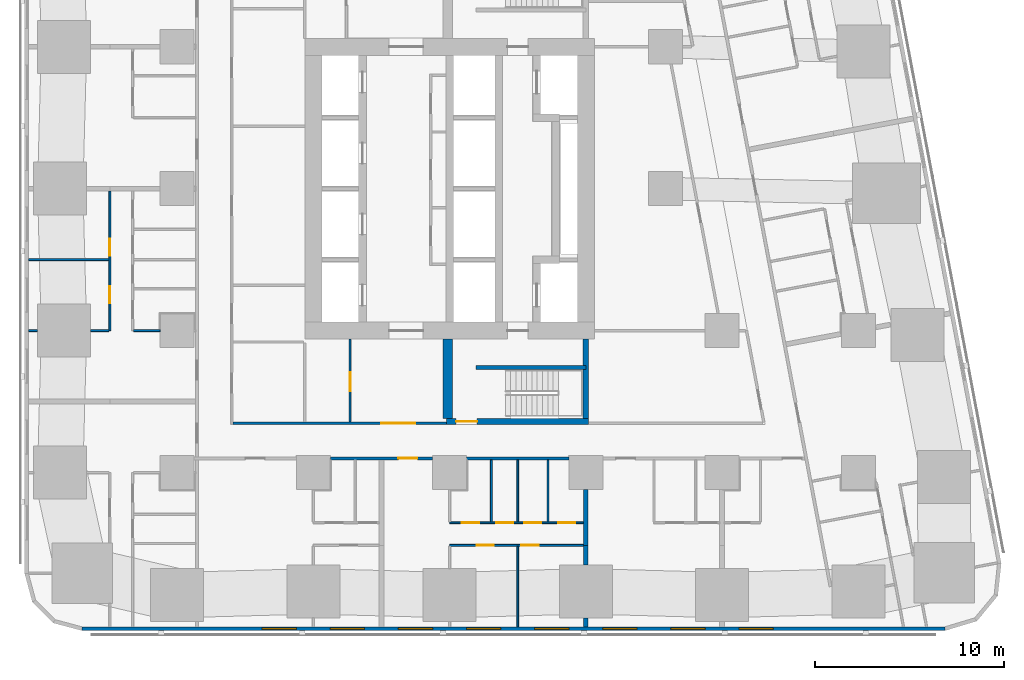
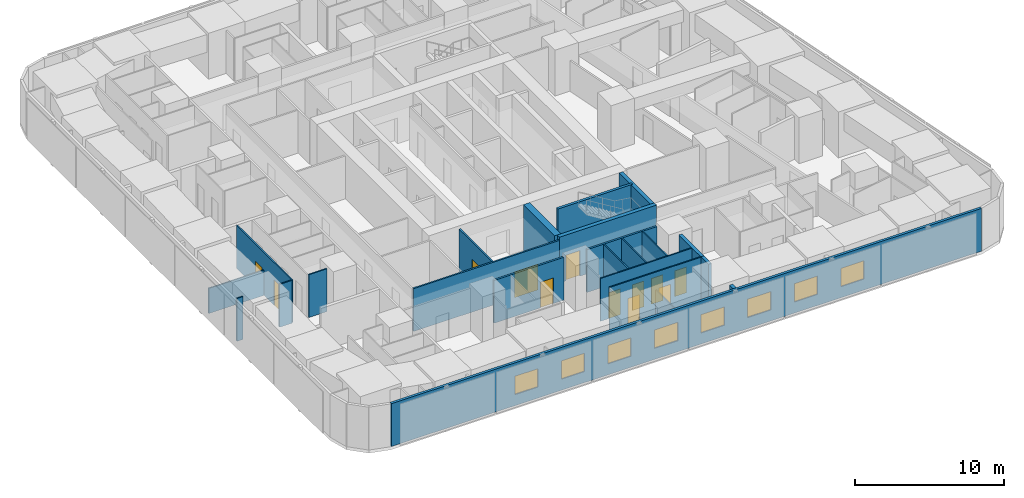
# One storey, part 3 of 16: 23 walls, 12 doors, 8 windows, 20 openings.
"""IFC4 building model written with IfcOpenShell, lengths in metres."""

from ifc_helpers import new_model, si_unit, direction, frame, frame_2d, origin, place, context, subcontext, project, spatial, rectangle, extrude, material, layer, layer_set, type_object, element, fill, save


model = new_model("IFC4")

# Units and contexts
model_context = context("Model", 3, precision=1e-05, world=origin(), true_north=direction((0.0, 1.0)))
body_context = subcontext(model_context, "Body", "Model", "MODEL_VIEW")
ifc_project = project(units=[si_unit("LENGTHUNIT", "METRE"), si_unit("AREAUNIT", "SQUARE_METRE"), si_unit("VOLUMEUNIT", "CUBIC_METRE"), si_unit("PLANEANGLEUNIT", "RADIAN"), si_unit("MASSUNIT", "GRAM", prefix="KILO")], contexts=[model_context])

# Site, building, storey
site_placement = place(None, origin())
site = spatial("IfcSite", under=ifc_project, at=site_placement, CompositionType="ELEMENT")
building_placement = place(site_placement, origin())
building = spatial("IfcBuilding", under=site, at=building_placement, Name="Sheger Commons Tower", CompositionType="ELEMENT")
storey_placement = place(building_placement, frame((0.0, 0.0, 53.75)))
storey = spatial("IfcBuildingStorey", under=building, at=storey_placement, Name="L13", CompositionType="ELEMENT", Elevation=53.75)

# Wall
ifc_material_1 = material(Name="Hollow concrete block masonry, skimmed both sides", Category="masonry")
ifc_layer_1 = layer(ifc_material_1, 0.14990234375)
ifc_layer_set_1 = layer_set([ifc_layer_1], Name="CORRIDOR WALL 150")
wall_type_1 = type_object("IfcWallType", Name="CORRIDOR WALL 150", PredefinedType="SOLIDWALL", material=ifc_layer_set_1)
wall_1_placement = place(storey_placement, frame((27.89892578125, 8.25, 0.0), z_axis=(0.0, 0.0, 1.0), x_axis=(-1.0, 0.0, 0.0)))
element("IfcWall", 1, at=wall_1_placement, inside=storey, type_object=wall_type_1, Name="Corridor wall L13", PredefinedType="SOLIDWALL", context=body_context, shape_type="SweptSolid", body=[
    extrude(rectangle(XDim=5.39794921875, YDim=0.14990234375, at=frame_2d((2.698974609375, 0.0))), origin(), (0.0, 0.0, 1.0), 3.5),
])

# Wall, opening, door
wall_2_placement = place(storey_placement, frame((20.698974609375, 8.25, 0.0), z_axis=(0.0, 0.0, 1.0), x_axis=(-1.0, 0.0, 0.0)))
wall_2 = element("IfcWall", 2, at=wall_2_placement, inside=storey, type_object=wall_type_1, Name="Corridor wall L13", PredefinedType="SOLIDWALL", context=body_context, shape_type="SweptSolid", body=[
    extrude(rectangle(XDim=5.39794921875, YDim=0.14990234375, at=frame_2d((2.698974609375, 0.0))), origin(), (0.0, 0.0, 1.0), 3.5),
])
opening_1_placement = place(wall_2_placement, frame((0.799072265625, 0.0, 0.0)))
opening_1 = element("IfcOpeningElement", 3, at=opening_1_placement, cuts=wall_2, Name="Opening D1", PredefinedType="OPENING", context=body_context, shape_type="SweptSolid", body=[
    extrude(rectangle(XDim=1.0, YDim=2.10009765625, at=frame_2d((0.5, 1.050048828125))), frame((0.0, 0.0849609375, 0.0), z_axis=(0.0, -1.0, 0.0), x_axis=(1.0, 0.0, 0.0)), (0.0, 0.0, 1.0), 0.169921875),
])
ifc_material_2 = material(Name="Steel door set, fire rated", Category="steel")
door_type_1 = type_object("IfcDoorType", Name="FLAT ENTRANCE DOOR 1000x2100", OperationType="NOTDEFINED", PredefinedType="DOOR", material=ifc_material_2)
door_1_placement = place(opening_1_placement, origin())
door_1 = element("IfcDoor", 4, at=door_1_placement, inside=storey, type_object=door_type_1, Name="Flat entrance door", OperationType="SINGLE_SWING_LEFT", OverallHeight=2.10009765625, OverallWidth=1.0, PredefinedType="DOOR", context=body_context, shape_type="SweptSolid", body=[
    extrude(rectangle(XDim=1.0, YDim=2.10009765625, at=frame_2d((0.5, 1.050048828125))), frame((0.0, 0.02490234375, 0.0), z_axis=(0.0, -1.0, 0.0), x_axis=(1.0, 0.0, 0.0)), (0.0, 0.0, 1.0), 0.050048828125),
])
fill(opening_1, door_1)

# Walls
ifc_material_3 = material(Name="Dense concrete block masonry, plastered both sides (separating wall between flats)", Category="masonry")
ifc_layer_2 = layer(ifc_material_3, 0.25)
ifc_layer_set_2 = layer_set([ifc_layer_2], Name="DEMISING WALL 250")
wall_type_2 = type_object("IfcWallType", Name="DEMISING WALL 250", PredefinedType="SOLIDWALL", material=ifc_layer_set_2)
wall_3_placement = place(storey_placement, frame((28.800048828125, -0.64990234375, 0.0), z_axis=(0.0, 0.0, 1.0), x_axis=(0.0, 1.0, 0.0)))
element("IfcWall", 5, at=wall_3_placement, inside=storey, type_object=wall_type_2, Name="Demising wall L13", PredefinedType="SOLIDWALL", context=body_context, shape_type="SweptSolid", body=[
    extrude(rectangle(XDim=0.473876953125, YDim=0.25, at=frame_2d((0.23681640625, 0.0))), origin(), (0.0, 0.0, 1.0), 3.5),
])
wall_4_placement = place(storey_placement, frame((28.800048828125, 2.6259765625, 0.0), z_axis=(0.0, 0.0, 1.0), x_axis=(0.0, 1.0, 0.0)))
element("IfcWall", 6, at=wall_4_placement, inside=storey, type_object=wall_type_2, Name="Demising wall L13", PredefinedType="SOLIDWALL", context=body_context, shape_type="SweptSolid", body=[
    extrude(rectangle(XDim=1.02392578125, YDim=0.25, at=frame_2d((0.511962890625, 0.0))), origin(), (0.0, 0.0, 1.0), 3.5),
])
wall_5_placement = place(storey_placement, frame((28.800048828125, 3.64990234375, 0.0), z_axis=(0.0, 0.0, 1.0), x_axis=(0.0, 1.0, 0.0)))
element("IfcWall", 7, at=wall_5_placement, inside=storey, type_object=wall_type_2, Name="Demising wall L13", PredefinedType="SOLIDWALL", context=body_context, shape_type="SweptSolid", body=[
    extrude(rectangle(XDim=2.94921875, YDim=0.25, at=frame_2d((1.474609375, 0.0))), origin(), (0.0, 0.0, 1.0), 3.5),
])

# Wall, openings, windows
ifc_material_4 = material(Name="Rendered concrete block masonry, dark grey", Category="masonry")
ifc_layer_3 = layer(ifc_material_4, 0.199951171875)
ifc_layer_set_3 = layer_set([ifc_layer_3], Name="FACADE WALL 200")
wall_type_3 = type_object("IfcWallType", Name="FACADE WALL 200", PredefinedType="SOLIDWALL", material=ifc_layer_set_3)
wall_6_placement = place(storey_placement, frame((2.1630859375, -0.75, 0.0), z_axis=(0.0, 0.0, 1.0), x_axis=(1.0, 0.0, 0.0)))
wall_6 = element("IfcWall", 8, at=wall_6_placement, inside=storey, type_object=wall_type_3, Name="Facade wall L13", PredefinedType="SOLIDWALL", context=body_context, shape_type="SweptSolid", body=[
    extrude(rectangle(XDim=45.6279296875, YDim=0.199951171875, at=frame_2d((22.81396484375, 0.0))), origin(), (0.0, 0.0, 1.0), 3.5),
])
opening_2_placement = place(wall_6_placement, frame((9.537109375, 0.0, 0.89990234375)))
opening_2 = element("IfcOpeningElement", 9, at=opening_2_placement, cuts=wall_6, Name="Opening W2", PredefinedType="OPENING", context=body_context, shape_type="SweptSolid", body=[
    extrude(rectangle(XDim=1.800048828125, YDim=1.5, at=frame_2d((0.89990234375, 0.75))), frame((0.0, 0.10986328125, 0.0), z_axis=(0.0, -1.0, 0.0), x_axis=(1.0, 0.0, 0.0)), (0.0, 0.0, 1.0), 0.219970703125),
])
opening_3_placement = place(wall_6_placement, frame((13.136962890625, 0.0, 0.89990234375)))
opening_3 = element("IfcOpeningElement", 10, at=opening_3_placement, cuts=wall_6, Name="Opening W2", PredefinedType="OPENING", context=body_context, shape_type="SweptSolid", body=[
    extrude(rectangle(XDim=1.800048828125, YDim=1.5, at=frame_2d((0.89990234375, 0.75))), frame((0.0, 0.10986328125, 0.0), z_axis=(0.0, -1.0, 0.0), x_axis=(1.0, 0.0, 0.0)), (0.0, 0.0, 1.0), 0.219970703125),
])
opening_4_placement = place(wall_6_placement, frame((16.737060546875, 0.0, 0.89990234375)))
opening_4 = element("IfcOpeningElement", 11, at=opening_4_placement, cuts=wall_6, Name="Opening W2", PredefinedType="OPENING", context=body_context, shape_type="SweptSolid", body=[
    extrude(rectangle(XDim=1.800048828125, YDim=1.5, at=frame_2d((0.89990234375, 0.75))), frame((0.0, 0.10986328125, 0.0), z_axis=(0.0, -1.0, 0.0), x_axis=(1.0, 0.0, 0.0)), (0.0, 0.0, 1.0), 0.219970703125),
])
opening_5_placement = place(wall_6_placement, frame((20.3369140625, 0.0, 0.89990234375)))
opening_5 = element("IfcOpeningElement", 12, at=opening_5_placement, cuts=wall_6, Name="Opening W2", PredefinedType="OPENING", context=body_context, shape_type="SweptSolid", body=[
    extrude(rectangle(XDim=1.800048828125, YDim=1.5, at=frame_2d((0.89990234375, 0.75))), frame((0.0, 0.10986328125, 0.0), z_axis=(0.0, -1.0, 0.0), x_axis=(1.0, 0.0, 0.0)), (0.0, 0.0, 1.0), 0.219970703125),
])
opening_6_placement = place(wall_6_placement, frame((23.93701171875, 0.0, 0.89990234375)))
opening_6 = element("IfcOpeningElement", 13, at=opening_6_placement, cuts=wall_6, Name="Opening W2", PredefinedType="OPENING", context=body_context, shape_type="SweptSolid", body=[
    extrude(rectangle(XDim=1.800048828125, YDim=1.5, at=frame_2d((0.89990234375, 0.75))), frame((0.0, 0.10986328125, 0.0), z_axis=(0.0, -1.0, 0.0), x_axis=(1.0, 0.0, 0.0)), (0.0, 0.0, 1.0), 0.219970703125),
])
opening_7_placement = place(wall_6_placement, frame((27.537109375, 0.0, 0.89990234375)))
opening_7 = element("IfcOpeningElement", 14, at=opening_7_placement, cuts=wall_6, Name="Opening W2", PredefinedType="OPENING", context=body_context, shape_type="SweptSolid", body=[
    extrude(rectangle(XDim=1.800048828125, YDim=1.5, at=frame_2d((0.89990234375, 0.75))), frame((0.0, 0.10986328125, 0.0), z_axis=(0.0, -1.0, 0.0), x_axis=(1.0, 0.0, 0.0)), (0.0, 0.0, 1.0), 0.219970703125),
])
opening_8_placement = place(wall_6_placement, frame((31.136962890625, 0.0, 0.89990234375)))
opening_8 = element("IfcOpeningElement", 15, at=opening_8_placement, cuts=wall_6, Name="Opening W2", PredefinedType="OPENING", context=body_context, shape_type="SweptSolid", body=[
    extrude(rectangle(XDim=1.800048828125, YDim=1.5, at=frame_2d((0.89990234375, 0.75))), frame((0.0, 0.10986328125, 0.0), z_axis=(0.0, -1.0, 0.0), x_axis=(1.0, 0.0, 0.0)), (0.0, 0.0, 1.0), 0.219970703125),
])
opening_9_placement = place(wall_6_placement, frame((34.737060546875, 0.0, 0.89990234375)))
opening_9 = element("IfcOpeningElement", 16, at=opening_9_placement, cuts=wall_6, Name="Opening W2", PredefinedType="OPENING", context=body_context, shape_type="SweptSolid", body=[
    extrude(rectangle(XDim=1.800048828125, YDim=1.5, at=frame_2d((0.89990234375, 0.75))), frame((0.0, 0.10986328125, 0.0), z_axis=(0.0, -1.0, 0.0), x_axis=(1.0, 0.0, 0.0)), (0.0, 0.0, 1.0), 0.219970703125),
])
ifc_material_5 = material(Name="Black aluminium frame, dark tinted double glazing", Category="aluminium")
window_type = type_object("IfcWindowType", Name="WINDOW W2 1800x1500", PartitioningType="SINGLE_PANEL", PredefinedType="WINDOW", material=ifc_material_5)
window_1_placement = place(opening_2_placement, origin())
window_1 = element("IfcWindow", 17, at=window_1_placement, inside=storey, type_object=window_type, Name="Window W2 1800X1500", OverallHeight=1.5, OverallWidth=1.800048828125, PartitioningType="SINGLE_PANEL", PredefinedType="WINDOW", context=body_context, shape_type="SweptSolid", body=[
    extrude(rectangle(XDim=1.800048828125, YDim=1.5, at=frame_2d((0.89990234375, 0.75))), frame((0.0, 0.030029296875, 0.0), z_axis=(0.0, -1.0, 0.0), x_axis=(1.0, 0.0, 0.0)), (0.0, 0.0, 1.0), 0.06005859375),
])
fill(opening_2, window_1)
window_2_placement = place(opening_3_placement, origin())
window_2 = element("IfcWindow", 18, at=window_2_placement, inside=storey, type_object=window_type, Name="Window W2 1800X1500", OverallHeight=1.5, OverallWidth=1.800048828125, PartitioningType="SINGLE_PANEL", PredefinedType="WINDOW", context=body_context, shape_type="SweptSolid", body=[
    extrude(rectangle(XDim=1.800048828125, YDim=1.5, at=frame_2d((0.89990234375, 0.75))), frame((0.0, 0.030029296875, 0.0), z_axis=(0.0, -1.0, 0.0), x_axis=(1.0, 0.0, 0.0)), (0.0, 0.0, 1.0), 0.06005859375),
])
fill(opening_3, window_2)
window_3_placement = place(opening_4_placement, origin())
window_3 = element("IfcWindow", 19, at=window_3_placement, inside=storey, type_object=window_type, Name="Window W2 1800X1500", OverallHeight=1.5, OverallWidth=1.800048828125, PartitioningType="SINGLE_PANEL", PredefinedType="WINDOW", context=body_context, shape_type="SweptSolid", body=[
    extrude(rectangle(XDim=1.800048828125, YDim=1.5, at=frame_2d((0.89990234375, 0.75))), frame((0.0, 0.030029296875, 0.0), z_axis=(0.0, -1.0, 0.0), x_axis=(1.0, 0.0, 0.0)), (0.0, 0.0, 1.0), 0.06005859375),
])
fill(opening_4, window_3)
window_4_placement = place(opening_5_placement, origin())
window_4 = element("IfcWindow", 20, at=window_4_placement, inside=storey, type_object=window_type, Name="Window W2 1800X1500", OverallHeight=1.5, OverallWidth=1.800048828125, PartitioningType="SINGLE_PANEL", PredefinedType="WINDOW", context=body_context, shape_type="SweptSolid", body=[
    extrude(rectangle(XDim=1.800048828125, YDim=1.5, at=frame_2d((0.89990234375, 0.75))), frame((0.0, 0.030029296875, 0.0), z_axis=(0.0, -1.0, 0.0), x_axis=(1.0, 0.0, 0.0)), (0.0, 0.0, 1.0), 0.06005859375),
])
fill(opening_5, window_4)
window_5_placement = place(opening_6_placement, origin())
window_5 = element("IfcWindow", 21, at=window_5_placement, inside=storey, type_object=window_type, Name="Window W2 1800X1500", OverallHeight=1.5, OverallWidth=1.800048828125, PartitioningType="SINGLE_PANEL", PredefinedType="WINDOW", context=body_context, shape_type="SweptSolid", body=[
    extrude(rectangle(XDim=1.800048828125, YDim=1.5, at=frame_2d((0.89990234375, 0.75))), frame((0.0, 0.030029296875, 0.0), z_axis=(0.0, -1.0, 0.0), x_axis=(1.0, 0.0, 0.0)), (0.0, 0.0, 1.0), 0.06005859375),
])
fill(opening_6, window_5)
window_6_placement = place(opening_7_placement, origin())
window_6 = element("IfcWindow", 22, at=window_6_placement, inside=storey, type_object=window_type, Name="Window W2 1800X1500", OverallHeight=1.5, OverallWidth=1.800048828125, PartitioningType="SINGLE_PANEL", PredefinedType="WINDOW", context=body_context, shape_type="SweptSolid", body=[
    extrude(rectangle(XDim=1.800048828125, YDim=1.5, at=frame_2d((0.89990234375, 0.75))), frame((0.0, 0.030029296875, 0.0), z_axis=(0.0, -1.0, 0.0), x_axis=(1.0, 0.0, 0.0)), (0.0, 0.0, 1.0), 0.06005859375),
])
fill(opening_7, window_6)
window_7_placement = place(opening_8_placement, origin())
window_7 = element("IfcWindow", 23, at=window_7_placement, inside=storey, type_object=window_type, Name="Window W2 1800X1500", OverallHeight=1.5, OverallWidth=1.800048828125, PartitioningType="SINGLE_PANEL", PredefinedType="WINDOW", context=body_context, shape_type="SweptSolid", body=[
    extrude(rectangle(XDim=1.800048828125, YDim=1.5, at=frame_2d((0.89990234375, 0.75))), frame((0.0, 0.030029296875, 0.0), z_axis=(0.0, -1.0, 0.0), x_axis=(1.0, 0.0, 0.0)), (0.0, 0.0, 1.0), 0.06005859375),
])
fill(opening_8, window_7)
window_8_placement = place(opening_9_placement, origin())
window_8 = element("IfcWindow", 24, at=window_8_placement, inside=storey, type_object=window_type, Name="Window W2 1800X1500", OverallHeight=1.5, OverallWidth=1.800048828125, PartitioningType="SINGLE_PANEL", PredefinedType="WINDOW", context=body_context, shape_type="SweptSolid", body=[
    extrude(rectangle(XDim=1.800048828125, YDim=1.5, at=frame_2d((0.89990234375, 0.75))), frame((0.0, 0.030029296875, 0.0), z_axis=(0.0, -1.0, 0.0), x_axis=(1.0, 0.0, 0.0)), (0.0, 0.0, 1.0), 0.06005859375),
])
fill(opening_9, window_8)

# Wall, openings, doors
ifc_material_6 = material(Name="Gypsum board on steel studs", Category="steel")
ifc_layer_4 = layer(ifc_material_6, 0.10009765625)
ifc_layer_set_4 = layer_set([ifc_layer_4], Name="PARTITION 100")
wall_type_4 = type_object("IfcWallType", Name="PARTITION 100", PredefinedType="PARTITIONING", material=ifc_layer_set_4)
wall_7_placement = place(storey_placement, frame((3.64990234375, 15.0, 0.0), z_axis=(0.0, 0.0, 1.0), x_axis=(0.0, 1.0, 0.0)))
wall_7 = element("IfcWall", 25, at=wall_7_placement, inside=storey, type_object=wall_type_4, Name="Partition L13", PredefinedType="PARTITIONING", context=body_context, shape_type="SweptSolid", body=[
    extrude(rectangle(XDim=7.375, YDim=0.10009765625, at=frame_2d((3.6875, 0.0))), origin(), (0.0, 0.0, 1.0), 3.5),
])
opening_10_placement = place(wall_7_placement, frame((1.449951171875, 0.0, 0.0)))
opening_10 = element("IfcOpeningElement", 26, at=opening_10_placement, cuts=wall_7, Name="Opening D2", PredefinedType="OPENING", context=body_context, shape_type="SweptSolid", body=[
    extrude(rectangle(XDim=0.89990234375, YDim=2.10009765625, at=frame_2d((0.449951171875, 1.050048828125))), frame((0.0, 0.06005859375, 0.0), z_axis=(0.0, -1.0, 0.0), x_axis=(1.0, 0.0, 0.0)), (0.0, 0.0, 1.0), 0.1201171875),
])
opening_11_placement = place(wall_7_placement, frame((3.949951171875, 0.0, 0.0)))
opening_11 = element("IfcOpeningElement", 27, at=opening_11_placement, cuts=wall_7, Name="Opening D2", PredefinedType="OPENING", context=body_context, shape_type="SweptSolid", body=[
    extrude(rectangle(XDim=0.89990234375, YDim=2.10009765625, at=frame_2d((0.449951171875, 1.050048828125))), frame((0.0, 0.06005859375, 0.0), z_axis=(0.0, -1.0, 0.0), x_axis=(1.0, 0.0, 0.0)), (0.0, 0.0, 1.0), 0.1201171875),
])
ifc_material_7 = material(Name="Timber door set", Category="wood")
door_type_2 = type_object("IfcDoorType", Name="INTERNAL DOOR 900x2100", OperationType="NOTDEFINED", PredefinedType="DOOR", material=ifc_material_7)
door_2_placement = place(opening_10_placement, origin())
door_2 = element("IfcDoor", 28, at=door_2_placement, inside=storey, type_object=door_type_2, Name="Main bedroom door", OperationType="SINGLE_SWING_LEFT", OverallHeight=2.10009765625, OverallWidth=0.89990234375, PredefinedType="DOOR", context=body_context, shape_type="SweptSolid", body=[
    extrude(rectangle(XDim=0.89990234375, YDim=2.10009765625, at=frame_2d((0.449951171875, 1.050048828125))), frame((0.0, 0.02490234375, 0.0), z_axis=(0.0, -1.0, 0.0), x_axis=(1.0, 0.0, 0.0)), (0.0, 0.0, 1.0), 0.050048828125),
])
fill(opening_10, door_2)
door_3_placement = place(opening_11_placement, origin())
door_3 = element("IfcDoor", 29, at=door_3_placement, inside=storey, type_object=door_type_2, Name="Bedroom 2 door", OperationType="SINGLE_SWING_LEFT", OverallHeight=2.10009765625, OverallWidth=0.89990234375, PredefinedType="DOOR", context=body_context, shape_type="SweptSolid", body=[
    extrude(rectangle(XDim=0.89990234375, YDim=2.10009765625, at=frame_2d((0.449951171875, 1.050048828125))), frame((0.0, 0.02490234375, 0.0), z_axis=(0.0, -1.0, 0.0), x_axis=(1.0, 0.0, 0.0)), (0.0, 0.0, 1.0), 0.050048828125),
])
fill(opening_11, door_3)

# Walls
wall_8_placement = place(storey_placement, frame((-0.64990234375, 15.0, 0.0), z_axis=(0.0, 0.0, 1.0), x_axis=(1.0, 0.0, 0.0)))
element("IfcWall", 30, at=wall_8_placement, inside=storey, type_object=wall_type_4, Name="Partition L13", PredefinedType="PARTITIONING", context=body_context, shape_type="SweptSolid", body=[
    extrude(rectangle(XDim=0.473876953125, YDim=0.10009765625, at=frame_2d((0.23681640625, 0.0))), origin(), (0.0, 0.0, 1.0), 3.5),
])
wall_9_placement = place(storey_placement, frame((2.6259765625, 15.0, 0.0), z_axis=(0.0, 0.0, 1.0), x_axis=(1.0, 0.0, 0.0)))
element("IfcWall", 31, at=wall_9_placement, inside=storey, type_object=wall_type_4, Name="Partition L13", PredefinedType="PARTITIONING", context=body_context, shape_type="SweptSolid", body=[
    extrude(rectangle(XDim=0.97412109375, YDim=0.10009765625, at=frame_2d((0.487060546875, 0.0))), origin(), (0.0, 0.0, 1.0), 3.5),
])
wall_10_placement = place(storey_placement, frame((-0.64990234375, 18.75, 0.0), z_axis=(0.0, 0.0, 1.0), x_axis=(1.0, 0.0, 0.0)))
element("IfcWall", 32, at=wall_10_placement, inside=storey, type_object=wall_type_4, Name="Partition L13", PredefinedType="PARTITIONING", context=body_context, shape_type="SweptSolid", body=[
    extrude(rectangle(XDim=4.25, YDim=0.10009765625, at=frame_2d((2.125, 0.0))), origin(), (0.0, 0.0, 1.0), 2.050048828125),
])
wall_11_placement = place(storey_placement, frame((4.89990234375, 15.0, 0.0), z_axis=(0.0, 0.0, 1.0), x_axis=(1.0, 0.0, 0.0)))
element("IfcWall", 33, at=wall_11_placement, inside=storey, type_object=wall_type_4, Name="Partition L13", PredefinedType="PARTITIONING", context=body_context, shape_type="SweptSolid", body=[
    extrude(rectangle(XDim=1.399169921875, YDim=0.10009765625, at=frame_2d((0.69970703125, 0.0))), origin(), (0.0, 0.0, 1.0), 3.5),
])

# Wall, openings, doors
wall_12_placement = place(storey_placement, frame((28.675048828125, 3.64990234375, 0.0), z_axis=(0.0, 0.0, 1.0), x_axis=(-1.0, 0.0, 0.0)))
wall_12 = element("IfcWall", 34, at=wall_12_placement, inside=storey, type_object=wall_type_4, Name="Partition L13", PredefinedType="PARTITIONING", context=body_context, shape_type="SweptSolid", body=[
    extrude(rectangle(XDim=7.074951171875, YDim=0.10009765625, at=frame_2d((3.53759765625, 0.0))), origin(), (0.0, 0.0, 1.0), 3.5),
])
opening_12_placement = place(wall_12_placement, frame((4.75, 0.0, 0.0)))
opening_12 = element("IfcOpeningElement", 35, at=opening_12_placement, cuts=wall_12, Name="Opening D2", PredefinedType="OPENING", context=body_context, shape_type="SweptSolid", body=[
    extrude(rectangle(XDim=0.89990234375, YDim=2.10009765625, at=frame_2d((0.449951171875, 1.050048828125))), frame((0.0, 0.06005859375, 0.0), z_axis=(0.0, -1.0, 0.0), x_axis=(1.0, 0.0, 0.0)), (0.0, 0.0, 1.0), 0.1201171875),
])
opening_13_placement = place(wall_12_placement, frame((2.375, 0.0, 0.0)))
opening_13 = element("IfcOpeningElement", 36, at=opening_13_placement, cuts=wall_12, Name="Opening D2", PredefinedType="OPENING", context=body_context, shape_type="SweptSolid", body=[
    extrude(rectangle(XDim=0.89990234375, YDim=2.10009765625, at=frame_2d((0.449951171875, 1.050048828125))), frame((0.0, 0.06005859375, 0.0), z_axis=(0.0, -1.0, 0.0), x_axis=(1.0, 0.0, 0.0)), (0.0, 0.0, 1.0), 0.1201171875),
])
door_4_placement = place(opening_12_placement, origin())
door_4 = element("IfcDoor", 37, at=door_4_placement, inside=storey, type_object=door_type_2, Name="Main bedroom door", OperationType="SINGLE_SWING_RIGHT", OverallHeight=2.10009765625, OverallWidth=0.89990234375, PredefinedType="DOOR", context=body_context, shape_type="SweptSolid", body=[
    extrude(rectangle(XDim=0.89990234375, YDim=2.10009765625, at=frame_2d((0.449951171875, 1.050048828125))), frame((0.0, 0.02490234375, 0.0), z_axis=(0.0, -1.0, 0.0), x_axis=(1.0, 0.0, 0.0)), (0.0, 0.0, 1.0), 0.050048828125),
])
fill(opening_12, door_4)
door_5_placement = place(opening_13_placement, origin())
door_5 = element("IfcDoor", 38, at=door_5_placement, inside=storey, type_object=door_type_2, Name="Bedroom 2 door", OperationType="SINGLE_SWING_RIGHT", OverallHeight=2.10009765625, OverallWidth=0.89990234375, PredefinedType="DOOR", context=body_context, shape_type="SweptSolid", body=[
    extrude(rectangle(XDim=0.89990234375, YDim=2.10009765625, at=frame_2d((0.449951171875, 1.050048828125))), frame((0.0, 0.02490234375, 0.0), z_axis=(0.0, -1.0, 0.0), x_axis=(1.0, 0.0, 0.0)), (0.0, 0.0, 1.0), 0.050048828125),
])
fill(opening_13, door_5)

wall_13_placement = place(storey_placement, frame((28.675048828125, 4.85009765625, 0.0), z_axis=(0.0, 0.0, 1.0), x_axis=(-1.0, 0.0, 0.0)))
wall_13 = element("IfcWall", 39, at=wall_13_placement, inside=storey, type_object=wall_type_4, Name="Partition L13", PredefinedType="PARTITIONING", context=body_context, shape_type="SweptSolid", body=[
    extrude(rectangle(XDim=7.074951171875, YDim=0.10009765625, at=frame_2d((3.53759765625, 0.0))), origin(), (0.0, 0.0, 1.0), 3.5),
])
opening_14_placement = place(wall_13_placement, frame((5.52001953125, 0.0, 0.0)))
opening_14 = element("IfcOpeningElement", 40, at=opening_14_placement, cuts=wall_13, Name="Opening D2", PredefinedType="OPENING", context=body_context, shape_type="SweptSolid", body=[
    extrude(rectangle(XDim=0.89990234375, YDim=2.10009765625, at=frame_2d((0.449951171875, 1.050048828125))), frame((0.0, 0.06005859375, 0.0), z_axis=(0.0, -1.0, 0.0), x_axis=(1.0, 0.0, 0.0)), (0.0, 0.0, 1.0), 0.1201171875),
])
opening_15_placement = place(wall_13_placement, frame((2.22509765625, 0.0, 0.0)))
opening_15 = element("IfcOpeningElement", 41, at=opening_15_placement, cuts=wall_13, Name="Opening D2", PredefinedType="OPENING", context=body_context, shape_type="SweptSolid", body=[
    extrude(rectangle(XDim=0.89990234375, YDim=2.10009765625, at=frame_2d((0.449951171875, 1.050048828125))), frame((0.0, 0.06005859375, 0.0), z_axis=(0.0, -1.0, 0.0), x_axis=(1.0, 0.0, 0.0)), (0.0, 0.0, 1.0), 0.1201171875),
])
opening_16_placement = place(wall_13_placement, frame((3.719970703125, 0.0, 0.0)))
opening_16 = element("IfcOpeningElement", 42, at=opening_16_placement, cuts=wall_13, Name="Opening D2", PredefinedType="OPENING", context=body_context, shape_type="SweptSolid", body=[
    extrude(rectangle(XDim=0.89990234375, YDim=2.10009765625, at=frame_2d((0.449951171875, 1.050048828125))), frame((0.0, 0.06005859375, 0.0), z_axis=(0.0, -1.0, 0.0), x_axis=(1.0, 0.0, 0.0)), (0.0, 0.0, 1.0), 0.1201171875),
])
opening_17_placement = place(wall_13_placement, frame((0.425048828125, 0.0, 0.0)))
opening_17 = element("IfcOpeningElement", 43, at=opening_17_placement, cuts=wall_13, Name="Opening D2", PredefinedType="OPENING", context=body_context, shape_type="SweptSolid", body=[
    extrude(rectangle(XDim=0.89990234375, YDim=2.10009765625, at=frame_2d((0.449951171875, 1.050048828125))), frame((0.0, 0.06005859375, 0.0), z_axis=(0.0, -1.0, 0.0), x_axis=(1.0, 0.0, 0.0)), (0.0, 0.0, 1.0), 0.1201171875),
])
door_6_placement = place(opening_14_placement, origin())
door_6 = element("IfcDoor", 44, at=door_6_placement, inside=storey, type_object=door_type_2, Name="Bathroom door", OperationType="SINGLE_SWING_LEFT", OverallHeight=2.10009765625, OverallWidth=0.89990234375, PredefinedType="DOOR", context=body_context, shape_type="SweptSolid", body=[
    extrude(rectangle(XDim=0.89990234375, YDim=2.10009765625, at=frame_2d((0.449951171875, 1.050048828125))), frame((0.0, 0.02490234375, 0.0), z_axis=(0.0, -1.0, 0.0), x_axis=(1.0, 0.0, 0.0)), (0.0, 0.0, 1.0), 0.050048828125),
])
fill(opening_14, door_6)
door_7_placement = place(opening_15_placement, origin())
door_7 = element("IfcDoor", 45, at=door_7_placement, inside=storey, type_object=door_type_2, Name="Shower room door", OperationType="SINGLE_SWING_LEFT", OverallHeight=2.10009765625, OverallWidth=0.89990234375, PredefinedType="DOOR", context=body_context, shape_type="SweptSolid", body=[
    extrude(rectangle(XDim=0.89990234375, YDim=2.10009765625, at=frame_2d((0.449951171875, 1.050048828125))), frame((0.0, 0.02490234375, 0.0), z_axis=(0.0, -1.0, 0.0), x_axis=(1.0, 0.0, 0.0)), (0.0, 0.0, 1.0), 0.050048828125),
])
fill(opening_15, door_7)
door_8_placement = place(opening_16_placement, origin())
door_8 = element("IfcDoor", 46, at=door_8_placement, inside=storey, type_object=door_type_2, Name="Store door", OperationType="SINGLE_SWING_LEFT", OverallHeight=2.10009765625, OverallWidth=0.89990234375, PredefinedType="DOOR", context=body_context, shape_type="SweptSolid", body=[
    extrude(rectangle(XDim=0.89990234375, YDim=2.10009765625, at=frame_2d((0.449951171875, 1.050048828125))), frame((0.0, 0.02490234375, 0.0), z_axis=(0.0, -1.0, 0.0), x_axis=(1.0, 0.0, 0.0)), (0.0, 0.0, 1.0), 0.050048828125),
])
fill(opening_16, door_8)
door_9_placement = place(opening_17_placement, origin())
door_9 = element("IfcDoor", 47, at=door_9_placement, inside=storey, type_object=door_type_2, Name="Store door", OperationType="SINGLE_SWING_RIGHT", OverallHeight=2.10009765625, OverallWidth=0.89990234375, PredefinedType="DOOR", context=body_context, shape_type="SweptSolid", body=[
    extrude(rectangle(XDim=0.89990234375, YDim=2.10009765625, at=frame_2d((0.449951171875, 1.050048828125))), frame((0.0, 0.02490234375, 0.0), z_axis=(0.0, -1.0, 0.0), x_axis=(1.0, 0.0, 0.0)), (0.0, 0.0, 1.0), 0.050048828125),
])
fill(opening_17, door_9)

# Walls
wall_14_placement = place(storey_placement, frame((25.199951171875, -0.64990234375, 0.0), z_axis=(0.0, 0.0, 1.0), x_axis=(0.0, 1.0, 0.0)))
element("IfcWall", 48, at=wall_14_placement, inside=storey, type_object=wall_type_4, Name="Partition L13", PredefinedType="PARTITIONING", context=body_context, shape_type="SweptSolid", body=[
    extrude(rectangle(XDim=4.25, YDim=0.10009765625, at=frame_2d((2.125, 0.0))), origin(), (0.0, 0.0, 1.0), 2.050048828125),
])
for number, where, z_axis, x_axis, name in (
    (49, (25.199951171875, 4.89990234375, 0.0), (0.0, 0.0, 1.0), (0.0, 1.0, 0.0), "Partition L13"),
    (50, (23.81005859375, 4.89990234375, 0.0), (0.0, 0.0, 1.0), (0.0, 1.0, 0.0), "Partition L13"),
    (51, (26.800048828125, 4.89990234375, 0.0), (0.0, 0.0, 1.0), (0.0, 1.0, 0.0), "Partition L13"),
):
    element("IfcWall", number, at=place(storey_placement, frame(where, z_axis=z_axis, x_axis=x_axis)), inside=storey, type_object=wall_type_4, Name=name, PredefinedType="PARTITIONING", context=body_context, shape_type="SweptSolid", body=[
        extrude(rectangle(XDim=3.275146484375, YDim=0.10009765625, at=frame_2d((1.6376953125, 0.0))), origin(), (0.0, 0.0, 1.0), 3.5),
    ])

# Wall, opening, door
ifc_material_8 = material(Name="Gypsum board on steel studs, two layers each side, fire rated", Category="steel")
ifc_layer_5 = layer(ifc_material_8, 0.125)
ifc_layer_set_5 = layer_set([ifc_layer_5], Name="SERVICE WALL 125")
wall_type_5 = type_object("IfcWallType", Name="SERVICE WALL 125", PredefinedType="PARTITIONING", material=ifc_layer_set_5)
wall_15_placement = place(storey_placement, frame((10.1630859375, 10.10009765625, 0.0), z_axis=(0.0, 0.0, 1.0), x_axis=(1.0, 0.0, 0.0)))
wall_15 = element("IfcWall", 52, at=wall_15_placement, inside=storey, type_object=wall_type_5, Name="Service room wall L13", PredefinedType="PARTITIONING", context=body_context, shape_type="SweptSolid", body=[
    extrude(rectangle(XDim=11.286865234375, YDim=0.125, at=frame_2d((5.6435546875, 0.0))), origin(), (0.0, 0.0, 1.0), 3.5),
])
opening_18_placement = place(wall_15_placement, frame((7.83203125, 0.0, 0.0)))
opening_18 = element("IfcOpeningElement", 53, at=opening_18_placement, cuts=wall_15, Name="Opening D6", PredefinedType="OPENING", context=body_context, shape_type="SweptSolid", body=[
    extrude(rectangle(XDim=1.800048828125, YDim=2.10009765625, at=frame_2d((0.89990234375, 1.050048828125))), frame((0.0, 0.072509765625, 0.0), z_axis=(0.0, -1.0, 0.0), x_axis=(1.0, 0.0, 0.0)), (0.0, 0.0, 1.0), 0.14501953125),
])
ifc_material_9 = material(Name="Steel door set, fire rated", Category="steel")
door_type_3 = type_object("IfcDoorType", Name="LOBBY DOUBLE DOOR 1800x2100", OperationType="DOUBLE_DOOR_SINGLE_SWING", PredefinedType="DOOR", material=ifc_material_9)
door_10_placement = place(opening_18_placement, origin())
door_10 = element("IfcDoor", 54, at=door_10_placement, inside=storey, type_object=door_type_3, Name="Lift lobby south door", OperationType="DOUBLE_DOOR_SINGLE_SWING", OverallHeight=2.10009765625, OverallWidth=1.800048828125, PredefinedType="DOOR", context=body_context, shape_type="SweptSolid", body=[
    extrude(rectangle(XDim=1.800048828125, YDim=2.10009765625, at=frame_2d((0.89990234375, 1.050048828125))), frame((0.0, 0.02490234375, 0.0), z_axis=(0.0, -1.0, 0.0), x_axis=(1.0, 0.0, 0.0)), (0.0, 0.0, 1.0), 0.050048828125),
])
fill(opening_18, door_10)

wall_16_placement = place(storey_placement, frame((16.340087890625, 10.1630859375, 0.0), z_axis=(0.0, 0.0, 1.0), x_axis=(0.0, 1.0, 0.0)))
wall_16 = element("IfcWall", 55, at=wall_16_placement, inside=storey, type_object=wall_type_5, Name="Service room wall L13", PredefinedType="PARTITIONING", context=body_context, shape_type="SweptSolid", body=[
    extrude(rectangle(XDim=4.386962890625, YDim=0.125, at=frame_2d((2.193359375, 0.0))), origin(), (0.0, 0.0, 1.0), 3.5),
])
opening_19_placement = place(wall_16_placement, frame((1.636962890625, 0.0, 0.0)))
opening_19 = element("IfcOpeningElement", 56, at=opening_19_placement, cuts=wall_16, Name="Opening D4", PredefinedType="OPENING", context=body_context, shape_type="SweptSolid", body=[
    extrude(rectangle(XDim=1.0, YDim=2.10009765625, at=frame_2d((0.5, 1.050048828125))), frame((0.0, 0.072509765625, 0.0), z_axis=(0.0, -1.0, 0.0), x_axis=(1.0, 0.0, 0.0)), (0.0, 0.0, 1.0), 0.14501953125),
])
ifc_material_10 = material(Name="Steel door set, fire rated", Category="steel")
door_type_4 = type_object("IfcDoorType", Name="SERVICE DOOR 1000x2100", OperationType="NOTDEFINED", PredefinedType="DOOR", material=ifc_material_10)
door_11_placement = place(opening_19_placement, origin())
door_11 = element("IfcDoor", 57, at=door_11_placement, inside=storey, type_object=door_type_4, Name="Electrical room door", OperationType="SINGLE_SWING_LEFT", OverallHeight=2.10009765625, OverallWidth=1.0, PredefinedType="DOOR", context=body_context, shape_type="SweptSolid", body=[
    extrude(rectangle(XDim=1.0, YDim=2.10009765625, at=frame_2d((0.5, 1.050048828125))), frame((0.0, 0.02490234375, 0.0), z_axis=(0.0, -1.0, 0.0), x_axis=(1.0, 0.0, 0.0)), (0.0, 0.0, 1.0), 0.050048828125),
])
fill(opening_19, door_11)

ifc_material_11 = material(Name="Concrete C50/60", Category="concrete")
ifc_layer_6 = layer(ifc_material_11, 0.300048828125)
ifc_layer_set_6 = layer_set([ifc_layer_6], Name="STAIR CORE WALL 300")
wall_type_6 = type_object("IfcWallType", Name="STAIR CORE WALL 300", PredefinedType="SHEAR", material=ifc_layer_set_6)
wall_17_placement = place(storey_placement, frame((21.449951171875, 10.199951171875, 0.0), z_axis=(0.0, 0.0, 1.0), x_axis=(1.0, 0.0, 0.0)))
wall_17 = element("IfcWall", 58, at=wall_17_placement, inside=storey, type_object=wall_type_6, Name="STW-L13-S1S", PredefinedType="SHEAR", context=body_context, shape_type="SweptSolid", body=[
    extrude(rectangle(XDim=7.5, YDim=0.300048828125, at=frame_2d((3.75, 0.0))), origin(), (0.0, 0.0, 1.0), 3.75),
])
opening_20_placement = place(wall_17_placement, frame((0.5, 0.0, 0.0)))
opening_20 = element("IfcOpeningElement", 59, at=opening_20_placement, cuts=wall_17, Name="Opening D5", PredefinedType="OPENING", context=body_context, shape_type="SweptSolid", body=[
    extrude(rectangle(XDim=1.10009765625, YDim=2.10009765625, at=frame_2d((0.550048828125, 1.050048828125))), frame((0.0, 0.159912109375, 0.0), z_axis=(0.0, -1.0, 0.0), x_axis=(1.0, 0.0, 0.0)), (0.0, 0.0, 1.0), 0.320068359375),
])
ifc_material_12 = material(Name="Steel door set, fire rated", Category="steel")
door_type_5 = type_object("IfcDoorType", Name="STAIR DOOR 1100x2100", OperationType="NOTDEFINED", PredefinedType="DOOR", material=ifc_material_12)
door_12_placement = place(opening_20_placement, origin())
door_12 = element("IfcDoor", 60, at=door_12_placement, inside=storey, type_object=door_type_5, Name="Stair S1 door", OperationType="SINGLE_SWING_LEFT", OverallHeight=2.10009765625, OverallWidth=1.10009765625, PredefinedType="DOOR", context=body_context, shape_type="SweptSolid", body=[
    extrude(rectangle(XDim=1.10009765625, YDim=2.10009765625, at=frame_2d((0.550048828125, 1.050048828125))), frame((0.0, 0.02490234375, 0.0), z_axis=(0.0, -1.0, 0.0), x_axis=(1.0, 0.0, 0.0)), (0.0, 0.0, 1.0), 0.050048828125),
])
fill(opening_20, door_12)

# Walls
wall_18_placement = place(storey_placement, frame((28.800048828125, 10.35009765625, 0.0), z_axis=(0.0, 0.0, 1.0), x_axis=(0.0, 1.0, 0.0)))
element("IfcWall", 61, at=wall_18_placement, inside=storey, type_object=wall_type_6, Name="STW-L13-S1E", PredefinedType="SHEAR", context=body_context, shape_type="SweptSolid", body=[
    extrude(rectangle(XDim=4.199951171875, YDim=0.300048828125, at=frame_2d((2.10009765625, 0.0))), origin(), (0.0, 0.0, 1.0), 3.75),
])
ifc_material_13 = material(Name="Concrete C50/60", Category="concrete")
ifc_layer_7 = layer(ifc_material_13, 0.5)
ifc_layer_set_7 = layer_set([ifc_layer_7], Name="STAIR CORE WALL 500")
wall_type_7 = type_object("IfcWallType", Name="STAIR CORE WALL 500", PredefinedType="SHEAR", material=ifc_layer_set_7)
wall_19_placement = place(storey_placement, frame((21.5, 10.35009765625, 0.0), z_axis=(0.0, 0.0, 1.0), x_axis=(0.0, 1.0, 0.0)))
element("IfcWall", 62, at=wall_19_placement, inside=storey, type_object=wall_type_7, Name="STW-L13-S1W", PredefinedType="SHEAR", context=body_context, shape_type="SweptSolid", body=[
    extrude(rectangle(XDim=4.199951171875, YDim=0.5, at=frame_2d((2.10009765625, 0.0))), origin(), (0.0, 0.0, 1.0), 3.75),
])
ifc_material_14 = material(Name="Concrete C50/60", Category="concrete")
ifc_layer_8 = layer(ifc_material_14, 0.199951171875)
ifc_layer_set_8 = layer_set([ifc_layer_8], Name="STAIR SPINE WALL 200")
wall_type_8 = type_object("IfcWallType", Name="STAIR SPINE WALL 200", PredefinedType="SHEAR", material=ifc_layer_set_8)
wall_20_placement = place(storey_placement, frame((23.0, 13.050048828125, 0.0), z_axis=(0.0, 0.0, 1.0), x_axis=(1.0, 0.0, 0.0)))
element("IfcWall", 63, at=wall_20_placement, inside=storey, type_object=wall_type_8, Name="Stair spine wall L13", PredefinedType="SHEAR", context=body_context, shape_type="SweptSolid", body=[
    extrude(rectangle(XDim=5.800048828125, YDim=0.199951171875, at=frame_2d((2.89990234375, 0.0))), origin(), (0.0, 0.0, 1.0), 3.75),
])

save(model, "model.ifc")
